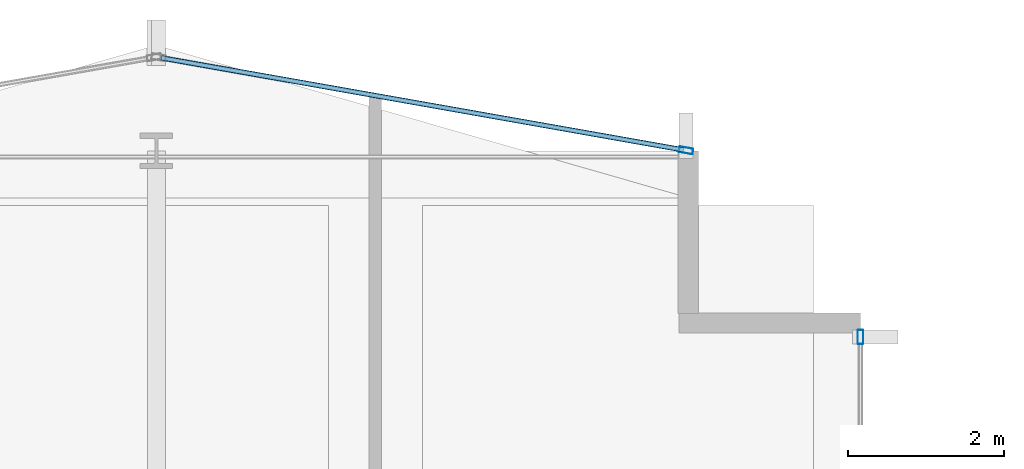
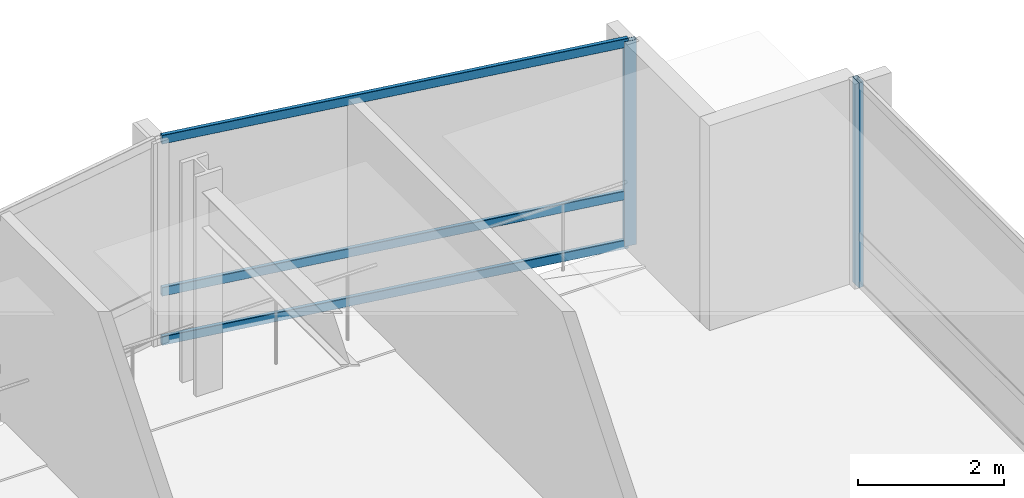
# One storey, part 20 of 29: 5 members, 2 elements without a shape of their own.
"""IFC4 building model written with IfcOpenShell, lengths in metres."""

from ifc_helpers import new_model, si_unit, direction, frame, origin, origin_2d, place, context, subcontext, project, spatial, hollow_rectangle, extrude, material, layer, layer_set, material_profile, profile_set, type_object, element, aggregate, save


model = new_model("IFC4")

# Units and contexts
model_context = context("Model", 3, precision=1e-05, world=origin(), true_north=direction((0.0, 1.0)))
body_context = subcontext(model_context, "Body", "Model", "MODEL_VIEW")
ifc_project = project(units=[si_unit("LENGTHUNIT", "METRE"), si_unit("AREAUNIT", "SQUARE_METRE"), si_unit("VOLUMEUNIT", "CUBIC_METRE"), si_unit("PLANEANGLEUNIT", "RADIAN"), si_unit("MASSUNIT", "GRAM", prefix="KILO")], contexts=[model_context])

# Site, building, storey
site_placement = place(None, origin())
site = spatial("IfcSite", under=ifc_project, at=site_placement, CompositionType="ELEMENT")
building_placement = place(site_placement, origin())
building = spatial("IfcBuilding", under=site, at=building_placement, Name="Solvaryn Broadcast Tower", CompositionType="ELEMENT")
storey_placement = place(building_placement, frame((0.0, 0.0, 128.5)))
storey = spatial("IfcBuildingStorey", under=building, at=storey_placement, Name="L31", CompositionType="ELEMENT", Elevation=128.5)

# Curtain wall, member
ifc_material_1 = material(Name="Aluminium and Terracotta Unitised Curtain Wall", Category="masonry")
ifc_layer = layer(ifc_material_1, 0.199951171875)
ifc_layer_set = layer_set([ifc_layer], Name="CW-SYS2-LOWMID")
curtain_wall_type = type_object("IfcCurtainWallType", Name="CW-SYS2-LOWMID", PredefinedType="NOTDEFINED", material=ifc_layer_set)
curtain_wall_1_placement = place(storey_placement, origin())
curtain_wall_1 = element("IfcCurtainWall", 1, at=curtain_wall_1_placement, inside=storey, type_object=curtain_wall_type, Name="L31 Curtain Wall IV", PredefinedType="NOTDEFINED")
ifc_material_2 = material(Name="Anodised Aluminium 6063-T6", Category="aluminium")
ifc_material_profile_1 = material_profile(ifc_material_2, hollow_rectangle(XDim=0.074951171875, YDim=0.179931640625, WallThickness=0.00390625, InnerFilletRadius=0.00390625, OuterFilletRadius=0.008056640625, at=origin_2d()))
ifc_profile_set_1 = profile_set([ifc_material_profile_1], Name="Anodised Aluminium 6063-T6")
member_type_1 = type_object("IfcMemberType", Name="CW-MUL-180", PredefinedType="MULLION", material=ifc_profile_set_1)
member_1_placement = place(storey_placement, frame((27.0, 51.6201171875, 0.0), z_axis=(0.0, 0.0, 1.0), x_axis=(1.0, 0.0, 0.0)))
member_1 = element("IfcMember", 2, at=member_1_placement, type_object=member_type_1, Name="CWS2 mullion 1", PredefinedType="MULLION", context=body_context, shape_type="SweptSolid", body=[
    extrude(hollow_rectangle(XDim=0.074951171875, YDim=0.179931640625, WallThickness=0.00390625, InnerFilletRadius=0.00390625, OuterFilletRadius=0.008056640625, at=origin_2d()), origin(), (0.0, 0.0, 1.0), 3.419921875),
])
aggregate(curtain_wall_1, [member_1])

# Curtain wall, members
curtain_wall_2_placement = place(storey_placement, origin())
curtain_wall_2 = element("IfcCurtainWall", 3, at=curtain_wall_2_placement, inside=storey, type_object=curtain_wall_type, Name="L31 Curtain Wall NT1", PredefinedType="NOTDEFINED")
member_2_placement = place(storey_placement, frame((24.7705078125, 54.005126953125, 0.0), z_axis=(0.0, 0.0, 1.0), x_axis=(-0.173785333901, -0.984783558819, 0.0)))
member_2 = element("IfcMember", 4, at=member_2_placement, type_object=member_type_1, Name="CWS2 mullion 1", PredefinedType="MULLION", context=body_context, shape_type="SweptSolid", body=[
    extrude(hollow_rectangle(XDim=0.074951171875, YDim=0.179931640625, WallThickness=0.00390625, InnerFilletRadius=0.00390625, OuterFilletRadius=0.008056640625, at=origin_2d()), origin(), (0.0, 0.0, 1.0), 3.419921875),
])
ifc_material_3 = material(Name="Anodised Aluminium 6063-T6", Category="aluminium")
ifc_material_profile_2 = material_profile(ifc_material_3, hollow_rectangle(XDim=0.06494140625, YDim=0.14990234375, WallThickness=0.00390625, InnerFilletRadius=0.00390625, OuterFilletRadius=0.008056640625, at=origin_2d()))
ifc_profile_set_2 = profile_set([ifc_material_profile_2], Name="Anodised Aluminium 6063-T6")
member_type_2 = type_object("IfcMemberType", Name="CW-TRN-150", PredefinedType="USERDEFINED", material=ifc_profile_set_2)
member_3_placement = place(storey_placement, frame((24.740966796875, 54.010498046875, 0.030029296875), z_axis=(-0.984788629673, 0.173756596613, 0.0), x_axis=(-0.173756596613, -0.984788629673, 0.0)))
member_3 = element("IfcMember", 5, at=member_3_placement, type_object=member_type_2, Name="CWS2 transom 1.1", ObjectType="TRANSOM", PredefinedType="USERDEFINED", context=body_context, shape_type="SweptSolid", body=[
    extrude(hollow_rectangle(XDim=0.06494140625, YDim=0.14990234375, WallThickness=0.00390625, InnerFilletRadius=0.00390625, OuterFilletRadius=0.008056640625, at=origin_2d()), origin(), (0.0, 0.0, 1.0), 6.78515625),
])
member_4_placement = place(storey_placement, frame((24.740966796875, 54.010498046875, 0.85009765625), z_axis=(-0.984788629673, 0.173756596613, 0.0), x_axis=(-0.173756596613, -0.984788629673, 0.0)))
member_4 = element("IfcMember", 6, at=member_4_placement, type_object=member_type_2, Name="CWS2 transom 1.2", ObjectType="TRANSOM", PredefinedType="USERDEFINED", context=body_context, shape_type="SweptSolid", body=[
    extrude(hollow_rectangle(XDim=0.06494140625, YDim=0.14990234375, WallThickness=0.00390625, InnerFilletRadius=0.00390625, OuterFilletRadius=0.008056640625, at=origin_2d()), origin(), (0.0, 0.0, 1.0), 6.78515625),
])
member_5_placement = place(storey_placement, frame((24.740966796875, 54.010498046875, 3.389892578125), z_axis=(-0.984788629673, 0.173756596613, 0.0), x_axis=(-0.173756596613, -0.984788629673, 0.0)))
member_5 = element("IfcMember", 7, at=member_5_placement, type_object=member_type_2, Name="CWS2 transom 1.3", ObjectType="TRANSOM", PredefinedType="USERDEFINED", context=body_context, shape_type="SweptSolid", body=[
    extrude(hollow_rectangle(XDim=0.06494140625, YDim=0.14990234375, WallThickness=0.00390625, InnerFilletRadius=0.00390625, OuterFilletRadius=0.008056640625, at=origin_2d()), origin(), (0.0, 0.0, 1.0), 6.78515625),
])
aggregate(curtain_wall_2, [member_2, member_3, member_4, member_5])

save(model, "model.ifc")
